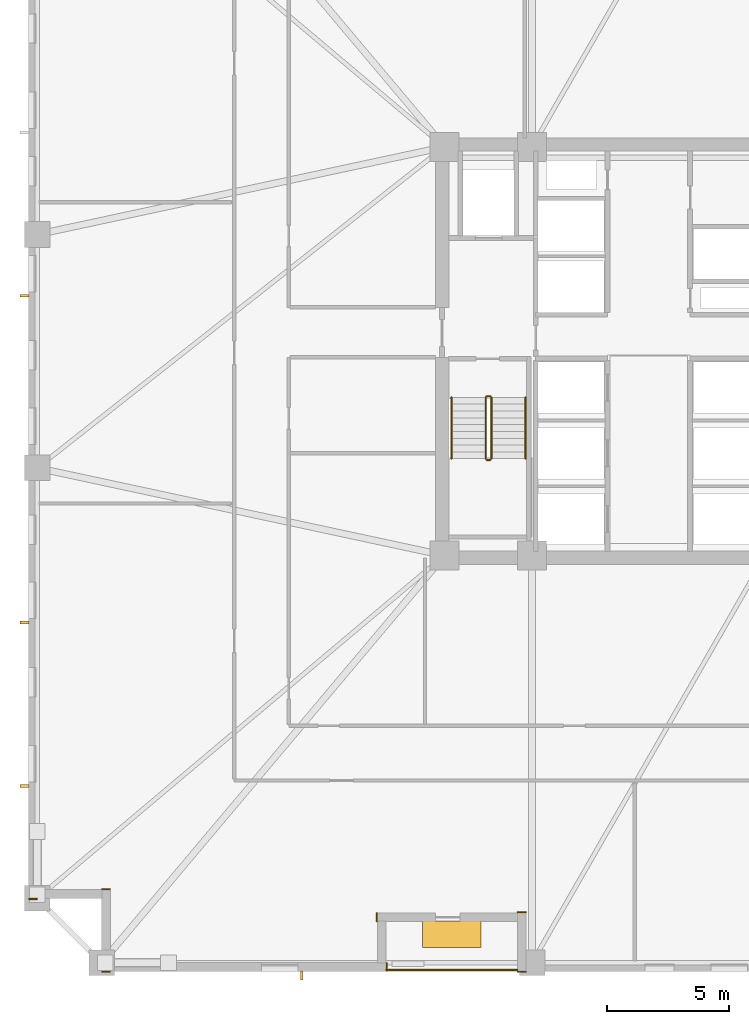
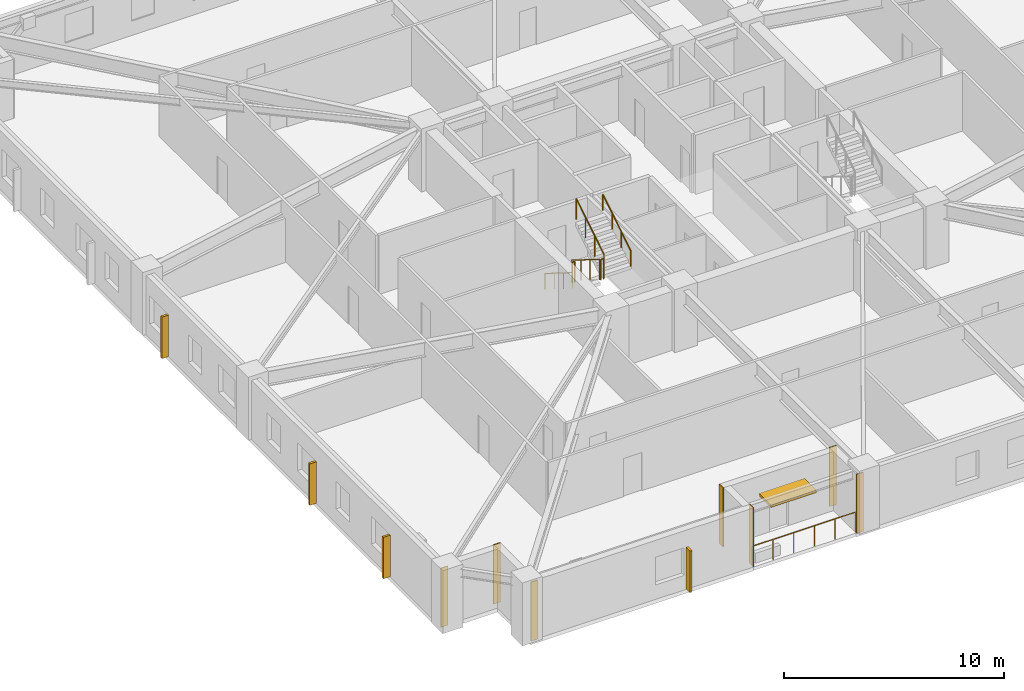
# One storey, part 6 of 10: 7 coverings, 7 railings, 5 shading devices.
"""IFC4 building model written with IfcOpenShell, lengths in metres."""

import ifcopenshell
import ifcopenshell.guid

model = None  # the IFC model being written
_history = None  # IfcOwnerHistory: only IFC2X3 demands one
_inside = {}  # id of a spatial element -> (the spatial element, [elements in it])
_under = {}  # id of a project, library or spatial element -> (it, [spatial elements below it])
_declared = {}  # id of a project -> (the project, [libraries it declares])
_typed = {}  # id of a type object -> (the type object, [elements of that type])
_made_of = {}  # id of a material, layer set ... -> (it, [elements and type objects made of it])


def new_model(schema):
    """Start an empty IFC model of exactly this schema.

    Asked for "IFC4X3", IfcOpenShell would pick the latest addendum, in which some entities
    have other attributes; the version numbers below select the first issue.
    IFC2X3 requires an IfcOwnerHistory on every rooted entity: one is made here for all.
    """
    global model, _history
    if schema == "IFC4X3":
        model = ifcopenshell.file(schema_version=(4, 3, 0, 0))
    else:
        model = ifcopenshell.file(schema=schema)
    _inside.clear()
    _under.clear()
    _declared.clear()
    _typed.clear()
    _made_of.clear()
    _history = None
    if model.schema == "IFC2X3":
        org = make("IfcOrganization", Name="unknown")
        user = make(
            "IfcPersonAndOrganization",
            ThePerson=make("IfcPerson", FamilyName="unknown"),
            TheOrganization=org,
        )
        app = make(
            "IfcApplication",
            ApplicationDeveloper=org,
            Version="unknown",
            ApplicationFullName="unknown",
            ApplicationIdentifier="unknown",
        )
        _history = make(
            "IfcOwnerHistory",
            OwningUser=user,
            OwningApplication=app,
            ChangeAction="ADDED",
            CreationDate=0,
        )
    return model


def make(cls, **values):
    """One entity of the class cls with the attributes given. An attribute that is None is left unset."""
    return model.create_entity(
        cls, **{name: value for name, value in values.items() if value is not None}
    )


def rooted(cls, **values):
    """An entity with a GlobalId (a new one), such as an element, a storey or a relation."""
    return make(cls, GlobalId=ifcopenshell.guid.new(), OwnerHistory=_history, **values)


def si_unit(unit_type, name, prefix=None):
    """IfcSIUnit, for example si_unit("LENGTHUNIT", "METRE", prefix="MILLI")."""
    return make("IfcSIUnit", UnitType=unit_type, Prefix=prefix, Name=name)


def assignment(units):
    """IfcUnitAssignment: the units of a project."""
    return None if units is None else make("IfcUnitAssignment", Units=units)


def point(xyz):
    """IfcCartesianPoint."""
    return None if xyz is None else make("IfcCartesianPoint", Coordinates=xyz)


def direction(xyz):
    """IfcDirection."""
    return None if xyz is None else make("IfcDirection", DirectionRatios=xyz)


def frame(location, z_axis=None, x_axis=None):
    """IfcAxis2Placement3D, a coordinate frame: its origin and axes. An axis left out is left unset."""
    return make(
        "IfcAxis2Placement3D",
        Location=point(location),
        Axis=direction(z_axis),
        RefDirection=direction(x_axis),
    )


def frame_2d(location, x_axis=None):
    """IfcAxis2Placement2D, a coordinate frame in the plane: its origin and x axis."""
    return make(
        "IfcAxis2Placement2D", Location=point(location), RefDirection=direction(x_axis)
    )


def origin():
    """The frame at (0, 0, 0) with its axes left unset."""
    return frame((0.0, 0.0, 0.0))


def origin_2d():
    """The frame at (0, 0) in the plane with its x axis left unset."""
    return frame_2d((0.0, 0.0))


def place(relative_to, where):
    """IfcLocalPlacement: puts the frame where relative to a parent placement (None: the world)."""
    return make(
        "IfcLocalPlacement", PlacementRelTo=relative_to, RelativePlacement=where
    )


def context(
    kind, dimensions, precision=None, world=None, true_north=None, identifier=None
):
    """IfcGeometricRepresentationContext, for example the 3D "Model" context."""
    return make(
        "IfcGeometricRepresentationContext",
        ContextIdentifier=identifier,
        ContextType=kind,
        CoordinateSpaceDimension=dimensions,
        Precision=precision,
        WorldCoordinateSystem=world,
        TrueNorth=true_north,
    )


def subcontext(parent, identifier, kind, view, scale=None):
    """IfcGeometricRepresentationSubContext, for example "Body" below "Model"."""
    return make(
        "IfcGeometricRepresentationSubContext",
        ContextIdentifier=identifier,
        ContextType=kind,
        ParentContext=parent,
        TargetScale=scale,
        TargetView=view,
    )


def project(units=None, contexts=None):
    """IfcProject with its units and contexts."""
    return rooted(
        "IfcProject",
        Name="project",
        RepresentationContexts=contexts,
        UnitsInContext=assignment(units),
    )


def spatial(cls, under=None, at=None, **own):
    """A site, building, storey or space (cls), placed at a placement, below another one or the project."""
    s = rooted(cls, ObjectPlacement=at, **own)
    if under is not None:
        _under.setdefault(under.id(), (under, []))[1].append(s)
    return s


def profile(cls, at=None, kind="AREA", **sizes):
    """A parametric profile (cls). Its sizes go by their IFC names, for example OverallWidth=200.0."""
    return make(cls, ProfileType=kind, Position=at, **sizes)


def rectangle(**sizes):
    """IfcRectangleProfileDef."""
    return profile("IfcRectangleProfileDef", **sizes)


def circle(**sizes):
    """IfcCircleProfileDef."""
    return profile("IfcCircleProfileDef", **sizes)


def extrude(swept, where, along, depth):
    """IfcExtrudedAreaSolid: the profile swept, set in the frame where, extruded along a direction by depth."""
    return make(
        "IfcExtrudedAreaSolid",
        SweptArea=swept,
        Position=where,
        ExtrudedDirection=direction(along),
        Depth=depth,
    )


def shape(context_of_items, identifier, shape_type, items):
    """IfcShapeRepresentation: the items that make up one representation, for example the "Body"."""
    return make(
        "IfcShapeRepresentation",
        ContextOfItems=context_of_items,
        RepresentationIdentifier=identifier,
        RepresentationType=shape_type,
        Items=items,
    )


def material(Name=None, Category=None):
    """IfcMaterial."""
    return make("IfcMaterial", Name=Name, Category=Category)


def layer(
    of_material, thickness, ventilated=None, Name=None, Category=None, Priority=None
):
    """IfcMaterialLayer: one layer of a wall or slab, of a material (None: an air gap)."""
    return make(
        "IfcMaterialLayer",
        Material=of_material,
        LayerThickness=thickness,
        IsVentilated=ventilated,
        Name=Name,
        Category=Category,
        Priority=Priority,
    )


def layer_set(layers, Name=None):
    """IfcMaterialLayerSet."""
    return make("IfcMaterialLayerSet", MaterialLayers=layers, LayerSetName=Name)


def made_of(thing, what):
    """Note that an element or type object is made of a material, layer set ...; save() writes the relation."""
    if what is not None:
        _made_of.setdefault(what.id(), (what, []))[1].append(thing)
    return thing


def type_object(cls, material=None, **own):
    """A type object (cls), such as IfcWallType, which elements share."""
    return made_of(rooted(cls, **own), material)


def element(
    cls,
    number,
    at=None,
    inside=None,
    cuts=None,
    type_object=None,
    material=None,
    context=None,
    identifier="Body",
    shape_type=None,
    held_by="IfcProductDefinitionShape",
    body=None,
    shapes=None,
    **own,
):
    """One element of the class cls, such as IfcWall. Its Tag is "e" and its number.

    at: its placement. inside: the storey or other place that contains it. cuts: it is an
    opening in that element (IfcRelVoidsElement). A single representation is given by context,
    identifier, shape_type and body (its items); several are given by shapes. held_by: the class
    of the entity that holds the representations. save() writes the other relations.
    """
    e = rooted(cls, Tag="e%d" % number, ObjectPlacement=at, **own)
    if body is not None:
        shapes = [shape(context, identifier, shape_type, body)]
    if shapes is not None:
        e.Representation = make(held_by, Representations=shapes)
    if inside is not None:
        _inside.setdefault(inside.id(), (inside, []))[1].append(e)
    if cuts is not None:
        rooted(
            "IfcRelVoidsElement", RelatingBuildingElement=cuts, RelatedOpeningElement=e
        )
    if type_object is not None:
        _typed.setdefault(type_object.id(), (type_object, []))[1].append(e)
    return made_of(e, material)


def aggregate(whole, parts):
    """IfcRelAggregates: a whole, such as a stair, and the parts it consists of."""
    return rooted("IfcRelAggregates", RelatingObject=whole, RelatedObjects=parts)


def save(model, path):
    """Write the relations noted so far, then the file.

    IfcRelAggregates (storeys below a building ...), IfcRelContainedInSpatialStructure (elements
    in a storey), IfcRelDefinesByType, IfcRelAssociatesMaterial and IfcRelDeclares: one each for
    every whole, place, type object, material and project.
    """
    for whole, parts in _under.values():
        aggregate(whole, parts)
    for where, things in _inside.values():
        rooted(
            "IfcRelContainedInSpatialStructure",
            RelatedElements=things,
            RelatingStructure=where,
        )
    for kind, things in _typed.values():
        rooted("IfcRelDefinesByType", RelatedObjects=things, RelatingType=kind)
    for what, things in _made_of.values():
        rooted("IfcRelAssociatesMaterial", RelatedObjects=things, RelatingMaterial=what)
    for by, libraries in _declared.values():
        rooted("IfcRelDeclares", RelatingContext=by, RelatedDefinitions=libraries)
    model.write(path)


model = new_model("IFC4")

# Units and contexts
model_context = context("Model", 3, precision=1e-05, world=origin(), true_north=direction((0.0, 1.0)))
body_context = subcontext(model_context, "Body", "Model", "MODEL_VIEW")
ifc_project = project(units=[si_unit("LENGTHUNIT", "METRE"), si_unit("AREAUNIT", "SQUARE_METRE"), si_unit("VOLUMEUNIT", "CUBIC_METRE"), si_unit("PLANEANGLEUNIT", "RADIAN"), si_unit("MASSUNIT", "GRAM", prefix="KILO")], contexts=[model_context])

# Site, building, storey
site_placement = place(None, origin())
site = spatial("IfcSite", under=ifc_project, at=site_placement, CompositionType="ELEMENT")
building_placement = place(site_placement, origin())
building = spatial("IfcBuilding", under=site, at=building_placement, Name="Cairnveth Concourse Tower", CompositionType="ELEMENT")
storey_placement = place(building_placement, frame((0.0, 0.0, 30.5)))
storey = spatial("IfcBuildingStorey", under=building, at=storey_placement, Name="L07", CompositionType="ELEMENT", Elevation=30.5)

# Coverings
ifc_material_1 = material(Name="Dressed Melbourne Bluestone Cladding", Category="masonry")
ifc_layer = layer(ifc_material_1, 0.050048828125)
ifc_layer_set = layer_set([ifc_layer], Name="Dressed Melbourne Bluestone Cladding")
covering_type = type_object("IfcCoveringType", Name="DRESSED BLUESTONE PLINTH CLADDING 50", PredefinedType="CLADDING", material=ifc_layer_set)
for number, where, z_axis, x_axis, name in (
    (1, (41.219970703125, 13.860107421875, 0.0), (0.0, 0.0, 1.0), (0.0, -1.0, 0.0), "Melbourne Bluestone Corner Quoin L07-55"),
    (2, (29.860107421875, 13.47998046875, 0.0), (0.0, 0.0, 1.0), (-1.0, 0.0, 0.0), "Melbourne Bluestone Corner Quoin L07-56"),
    (3, (29.860107421875, 16.8798828125, 0.0), (0.0, 0.0, 1.0), (-1.0, 0.0, 0.0), "Melbourne Bluestone Corner Quoin L07-57"),
    (4, (26.860107421875, 16.47998046875, 0.0), (0.0, 0.0, 1.0), (-1.0, 0.0, 0.0), "Melbourne Bluestone Corner Quoin L07-58"),
):
    element("IfcCovering", number, at=place(storey_placement, frame(where, z_axis=z_axis, x_axis=x_axis)), inside=storey, type_object=covering_type, Name=name, PredefinedType="CLADDING", context=body_context, shape_type="SweptSolid", body=[
        extrude(rectangle(XDim=0.360107421875, YDim=0.050048828125, at=frame_2d((0.18017578125, 0.0))), origin(), (0.0, 0.0, 1.0), 3.280029296875),
    ])
for number, where, z_axis, x_axis, name in (
    (5, (46.9599609375, 13.47998046875, 0.0), (0.0, 0.0, 1.0), (-1.0, 0.0, 0.0), "Melbourne Bluestone Corner Quoin L07-68"),
    (6, (46.9599609375, 15.929931640625, 0.0), (0.0, 0.0, 1.0), (-1.0, 0.0, 0.0), "Melbourne Bluestone Corner Quoin L07-69"),
    (7, (40.820068359375, 15.909912109375, 0.0), (0.0, 0.0, 1.0), (0.0, -1.0, 0.0), "Melbourne Bluestone Corner Quoin L07-70"),
):
    element("IfcCovering", number, at=place(storey_placement, frame(where, z_axis=z_axis, x_axis=x_axis)), inside=storey, type_object=covering_type, Name=name, PredefinedType="CLADDING", context=body_context, shape_type="SweptSolid", body=[
        extrude(rectangle(XDim=0.35986328125, YDim=0.050048828125, at=frame_2d((0.179931640625, 0.0))), origin(), (0.0, 0.0, 1.0), 3.280029296875),
    ])

# Shading devices
ifc_material_2 = material(Name="Architectural Bronze Anodised Aluminium 6063-T6", Category="aluminium")
shading_device_type_1 = type_object("IfcShadingDeviceType", Name="GOTHIC BRONZE VERTICAL LANCET FIN", PredefinedType="USERDEFINED", material=ifc_material_2)
for number, where, z_axis, x_axis, name in (
    (8, (37.72900390625, 13.324951171875, 0.02978515625), (0.0, 0.0, 1.0), (1.0, 0.0, 0.0), "Gothic Bronze Vertical Fin L07-0-1"),
    (9, (26.324951171875, 21.1201171875, 0.02978515625), (0.0, 0.0, 1.0), (0.0, 1.0, 0.0), "Gothic Bronze Vertical Fin L07-3-1"),
    (10, (26.324951171875, 27.840576171875, 0.02978515625), (0.0, 0.0, 1.0), (0.0, 1.0, 0.0), "Gothic Bronze Vertical Fin L07-3-3"),
    (11, (26.324951171875, 41.28125, 0.02978515625), (0.0, 0.0, 1.0), (0.0, 1.0, 0.0), "Gothic Bronze Vertical Fin L07-3-7"),
):
    element("IfcShadingDevice", number, at=place(storey_placement, frame(where, z_axis=z_axis, x_axis=x_axis)), inside=storey, type_object=shading_device_type_1, Name=name, ObjectType="VERTICAL FIN", PredefinedType="USERDEFINED", context=body_context, shape_type="SweptSolid", body=[
        extrude(rectangle(XDim=0.1201171875, YDim=0.360107421875, at=origin_2d()), origin(), (0.0, 0.0, 1.0), 2.303955078125),
    ])
shading_device_type_2 = type_object("IfcShadingDeviceType", Name="SPIRAL TERRACE SUNSHADE CANOPY", PredefinedType="USERDEFINED", material=ifc_material_2)
shading_device_placement = place(storey_placement, frame((43.89990234375, 15.030029296875, 2.183837890625), z_axis=(0.0, 0.0, 1.0), x_axis=(1.0, 0.0, 0.0)))
element("IfcShadingDevice", 12, at=shading_device_placement, inside=storey, type_object=shading_device_type_2, Name="Spiral Terrace Sunshade L07", ObjectType="TERRACE SUNSHADE", PredefinedType="USERDEFINED", context=body_context, shape_type="SweptSolid", body=[
    extrude(rectangle(XDim=2.39990234375, YDim=1.10009765625, at=origin_2d()), origin(), (0.0, 0.0, 1.0), 0.1201171875),
])

# Railings
ifc_material_3 = material(Name="Steel Grade 350", Category="steel")
railing_type_1 = type_object("IfcRailingType", Name="STAIR GUARDRAIL 1150", PredefinedType="GUARDRAIL", material=ifc_material_3)
railing_1_placement = place(storey_placement, frame((45.2900390625, 37.10009765625, 0.175048828125)))
element("IfcRailing", 13, at=railing_1_placement, inside=storey, type_object=railing_type_1, Name="L07 ST-1 stair guard 1", PredefinedType="GUARDRAIL", context=body_context, shape_type="SweptSolid", body=[
    extrude(circle(Radius=0.02392578125, at=origin_2d()), frame((0.0, 0.0, 1.1259765625), z_axis=(0.0, -0.848007534815, 0.529984170421), x_axis=(1.0, 0.0, 0.0)), (0.0, 0.0, 1.0), 2.9716796875),
    extrude(circle(Radius=0.02099609375, at=origin_2d()), origin(), (0.0, 0.0, 1.0), 1.101806640625),
    extrude(circle(Radius=0.02099609375, at=origin_2d()), frame((0.0, -0.840087890625, 0.52490234375)), (0.0, 0.0, 1.0), 1.101806640625),
    extrude(circle(Radius=0.02099609375, at=origin_2d()), frame((0.0, -1.679931640625, 1.050048828125)), (0.0, 0.0, 1.0), 1.101806640625),
    extrude(circle(Radius=0.02099609375, at=origin_2d()), frame((0.0, -2.52001953125, 1.574951171875)), (0.0, 0.0, 1.0), 1.101806640625),
])
railing_2_placement = place(storey_placement, frame((45.340087890625, 34.530029296875, 1.75)))
element("IfcRailing", 14, at=railing_2_placement, inside=storey, type_object=railing_type_1, Name="L07 ST-1 stair guard 2", PredefinedType="GUARDRAIL", context=body_context, shape_type="SweptSolid", body=[
    extrude(circle(Radius=0.02392578125, at=origin_2d()), frame((0.0, 0.0, 1.1259765625), z_axis=(1.0, 0.0, 0.0), x_axis=(0.0, 1.0, 0.0)), (0.0, 0.0, 1.0), 0.139892578125),
    extrude(circle(Radius=0.02099609375, at=origin_2d()), origin(), (0.0, 0.0, 1.0), 1.101806640625),
    extrude(circle(Radius=0.02099609375, at=origin_2d()), frame((0.139892578125, 0.0, 0.0)), (0.0, 0.0, 1.0), 1.101806640625),
])
railing_3_placement = place(storey_placement, frame((45.530029296875, 34.580078125, 1.925048828125)))
element("IfcRailing", 15, at=railing_3_placement, inside=storey, type_object=railing_type_1, Name="L07 ST-1 stair guard 3", PredefinedType="GUARDRAIL", context=body_context, shape_type="SweptSolid", body=[
    extrude(circle(Radius=0.02392578125, at=origin_2d()), frame((0.0, 0.0, 1.1259765625), z_axis=(0.0, 0.848007534815, 0.529984170421), x_axis=(-1.0, 0.0, 0.0)), (0.0, 0.0, 1.0), 2.9716796875),
    extrude(circle(Radius=0.02099609375, at=origin_2d()), origin(), (0.0, 0.0, 1.0), 1.101806640625),
    extrude(circle(Radius=0.02099609375, at=origin_2d()), frame((0.0, 0.840087890625, 0.52490234375)), (0.0, 0.0, 1.0), 1.101806640625),
    extrude(circle(Radius=0.02099609375, at=origin_2d()), frame((0.0, 1.679931640625, 1.050048828125)), (0.0, 0.0, 1.0), 1.101806640625),
    extrude(circle(Radius=0.02099609375, at=origin_2d()), frame((0.0, 2.52001953125, 1.574951171875)), (0.0, 0.0, 1.0), 1.101806640625),
])
railing_4_placement = place(storey_placement, frame((45.340087890625, 37.14990234375, 0.0)))
element("IfcRailing", 16, at=railing_4_placement, inside=storey, type_object=railing_type_1, Name="L07 ST-1 stair guard 4", PredefinedType="GUARDRAIL", context=body_context, shape_type="SweptSolid", body=[
    extrude(circle(Radius=0.02392578125, at=origin_2d()), frame((0.0, 0.0, 1.1259765625), z_axis=(1.0, 0.0, 0.0), x_axis=(0.0, 1.0, 0.0)), (0.0, 0.0, 1.0), 0.139892578125),
    extrude(circle(Radius=0.02099609375, at=origin_2d()), origin(), (0.0, 0.0, 1.0), 1.101806640625),
    extrude(circle(Radius=0.02099609375, at=origin_2d()), frame((0.139892578125, 0.0, 0.0)), (0.0, 0.0, 1.0), 1.101806640625),
])
railing_type_2 = type_object("IfcRailingType", Name="STAIR WALL HANDRAIL 900", PredefinedType="HANDRAIL", material=ifc_material_3)
railing_5_placement = place(storey_placement, frame((43.889892578125, 37.10009765625, 0.175048828125)))
element("IfcRailing", 17, at=railing_5_placement, inside=storey, type_object=railing_type_2, Name="L07 ST-1 stair handrail 1", PredefinedType="HANDRAIL", context=body_context, shape_type="SweptSolid", body=[
    extrude(circle(Radius=0.02392578125, at=origin_2d()), frame((0.0, 0.0, 0.8759765625), z_axis=(0.0, -0.848007534815, 0.529984170421), x_axis=(1.0, 0.0, 0.0)), (0.0, 0.0, 1.0), 2.9716796875),
    extrude(circle(Radius=0.02099609375, at=origin_2d()), origin(), (0.0, 0.0, 1.0), 0.851806640625),
    extrude(circle(Radius=0.02099609375, at=origin_2d()), frame((0.0, -0.840087890625, 0.52490234375)), (0.0, 0.0, 1.0), 0.851806640625),
    extrude(circle(Radius=0.02099609375, at=origin_2d()), frame((0.0, -1.679931640625, 1.050048828125)), (0.0, 0.0, 1.0), 0.851806640625),
    extrude(circle(Radius=0.02099609375, at=origin_2d()), frame((0.0, -2.52001953125, 1.574951171875)), (0.0, 0.0, 1.0), 0.851806640625),
])
railing_6_placement = place(storey_placement, frame((46.929931640625, 34.580078125, 1.925048828125)))
element("IfcRailing", 18, at=railing_6_placement, inside=storey, type_object=railing_type_2, Name="L07 ST-1 stair handrail 2", PredefinedType="HANDRAIL", context=body_context, shape_type="SweptSolid", body=[
    extrude(circle(Radius=0.02392578125, at=origin_2d()), frame((0.0, 0.0, 0.8759765625), z_axis=(0.0, 0.848007534815, 0.529984170421), x_axis=(-1.0, 0.0, 0.0)), (0.0, 0.0, 1.0), 2.9716796875),
    extrude(circle(Radius=0.02099609375, at=origin_2d()), origin(), (0.0, 0.0, 1.0), 0.851806640625),
    extrude(circle(Radius=0.02099609375, at=origin_2d()), frame((0.0, 0.840087890625, 0.52490234375)), (0.0, 0.0, 1.0), 0.851806640625),
    extrude(circle(Radius=0.02099609375, at=origin_2d()), frame((0.0, 1.679931640625, 1.050048828125)), (0.0, 0.0, 1.0), 0.851806640625),
    extrude(circle(Radius=0.02099609375, at=origin_2d()), frame((0.0, 2.52001953125, 1.574951171875)), (0.0, 0.0, 1.0), 0.851806640625),
])
railing_type_3 = type_object("IfcRailingType", Name="TERRACE BRONZE BALUSTRADE 1150", PredefinedType="BALUSTRADE", material=ifc_material_2)
railing_7_placement = place(storey_placement, frame((41.199951171875, 13.56005859375, 0.0)))
element("IfcRailing", 19, at=railing_7_placement, inside=storey, type_object=railing_type_3, Name="Terrace Balustrade RL-L07-TERR", PredefinedType="BALUSTRADE", context=body_context, shape_type="SweptSolid", body=[
    extrude(circle(Radius=0.02490234375, at=origin_2d()), frame((0.0, 0.0, 1.125), z_axis=(1.0, 0.0, 0.0), x_axis=(0.0, 1.0, 0.0)), (0.0, 0.0, 1.0), 5.400146484375),
    extrude(circle(Radius=0.02099609375, at=origin_2d()), origin(), (0.0, 0.0, 1.0), 1.099853515625),
    extrude(circle(Radius=0.02099609375, at=origin_2d()), frame((1.080078125, 0.0, 0.0)), (0.0, 0.0, 1.0), 1.099853515625),
    extrude(circle(Radius=0.02099609375, at=origin_2d()), frame((2.16015625, 0.0, 0.0)), (0.0, 0.0, 1.0), 1.099853515625),
    extrude(circle(Radius=0.02099609375, at=origin_2d()), frame((3.239990234375, 0.0, 0.0)), (0.0, 0.0, 1.0), 1.099853515625),
    extrude(circle(Radius=0.02099609375, at=origin_2d()), frame((4.320068359375, 0.0, 0.0)), (0.0, 0.0, 1.0), 1.099853515625),
    extrude(circle(Radius=0.02099609375, at=origin_2d()), frame((5.400146484375, 0.0, 0.0)), (0.0, 0.0, 1.0), 1.099853515625),
])

save(model, "model.ifc")
